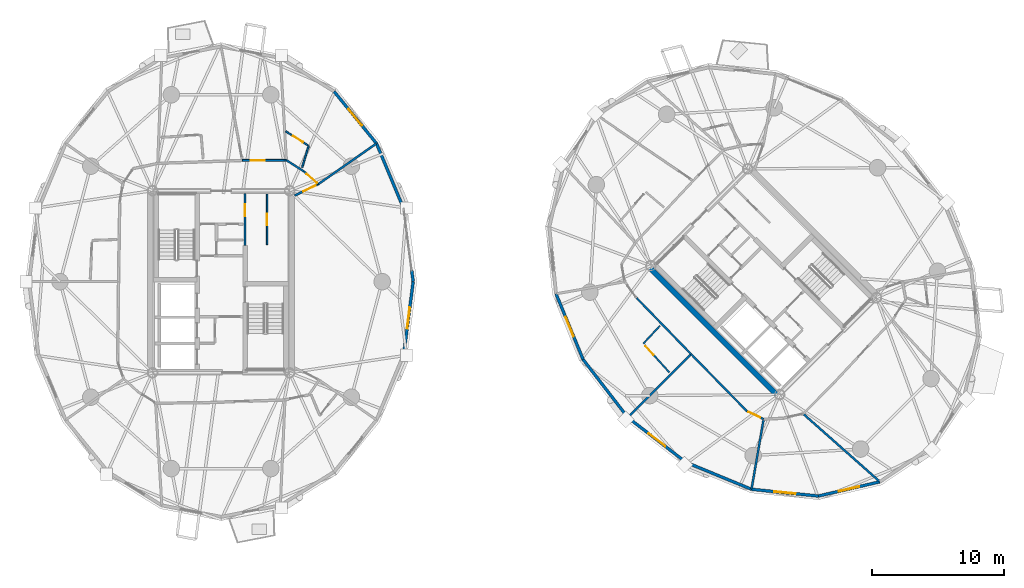
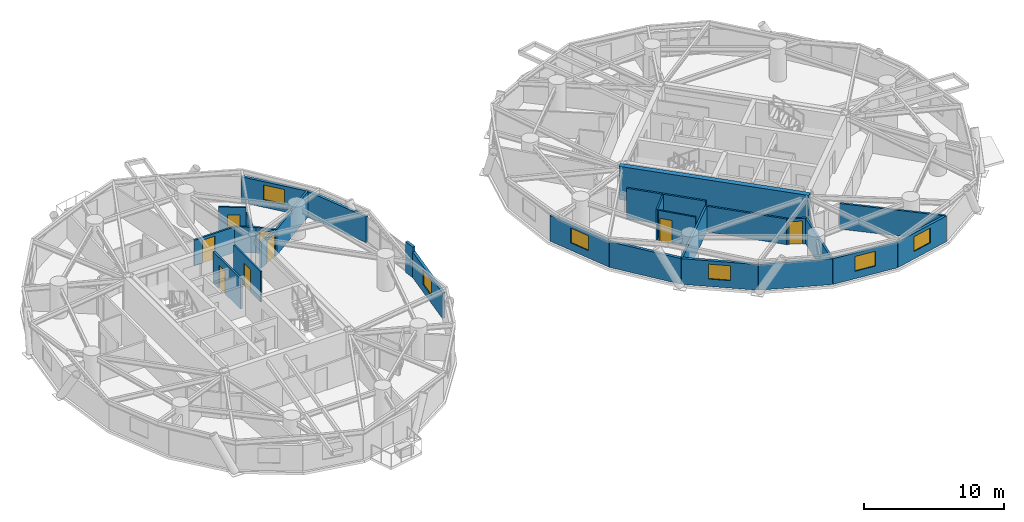
# One storey, part 12 of 19: 28 walls, 8 doors, 6 windows, 14 openings.
"""IFC4 building model written with IfcOpenShell, lengths in metres."""

from ifc_helpers import new_model, si_unit, direction, frame, frame_2d, origin, place, context, subcontext, project, spatial, rectangle, extrude, source, transform, mapped, material, layer, layer_set, type_object, element, fill, save


model = new_model("IFC4")

# Units and contexts
model_context = context("Model", 3, precision=1e-05, world=origin(), true_north=direction((0.0, 1.0)))
body_context = subcontext(model_context, "Body", "Model", "MODEL_VIEW")
ifc_project = project(units=[si_unit("LENGTHUNIT", "METRE"), si_unit("AREAUNIT", "SQUARE_METRE"), si_unit("VOLUMEUNIT", "CUBIC_METRE"), si_unit("PLANEANGLEUNIT", "RADIAN"), si_unit("MASSUNIT", "GRAM", prefix="KILO")], contexts=[model_context])

# Site, building, storey
site_placement = place(None, origin())
site = spatial("IfcSite", under=ifc_project, at=site_placement, CompositionType="ELEMENT")
building_placement = place(site_placement, origin())
building = spatial("IfcBuilding", under=site, at=building_placement, Name="Cununo Teusaquillo Station Towers", CompositionType="ELEMENT")
storey_placement = place(building_placement, frame((0.0, 0.0, 151.60009765625)))
storey = spatial("IfcBuildingStorey", under=building, at=storey_placement, Name="L47", CompositionType="ELEMENT", Elevation=151.60009765625)

# Walls
ifc_material_1 = material(Name="Concrete C50/60", Category="concrete")
ifc_layer_1 = layer(ifc_material_1, 0.39990234375)
ifc_layer_set_1 = layer_set([ifc_layer_1], Name="Concrete C50/60")
wall_type_1 = type_object("IfcWallType", Name="WL-CORE-400", PredefinedType="SHEAR", material=ifc_layer_set_1)
wall_1_placement = place(storey_placement, frame((58.7021484375, 15.73193359375, 0.0), z_axis=(0.0, 0.0, 1.0), x_axis=(-0.707106781187, 0.707106781187, 0.0)))
element("IfcWall", 1, at=wall_1_placement, inside=storey, type_object=wall_type_1, Name="L47 Tower B Core Shear Wall W", PredefinedType="SHEAR", context=body_context, shape_type="SweptSolid", body=[
    extrude(rectangle(XDim=14.10009765625, YDim=0.39990234375, at=frame_2d((7.050048828125, 0.0))), origin(), (0.0, 0.0, 1.0), 2.909912109375),
])
ifc_material_2 = material(Name="Precast concrete C40/50", Category="concrete")
ifc_layer_2 = layer(ifc_material_2, 0.219970703125)
ifc_layer_set_2 = layer_set([ifc_layer_2], Name="Precast concrete C40/50")
wall_type_2 = type_object("IfcWallType", Name="WL-EXT-220", PredefinedType="SOLIDWALL", material=ifc_layer_set_2)
wall_2_placement = place(storey_placement, frame((30.9033203125, 25.36279296875, 0.0), z_axis=(0.0, 0.0, 1.0), x_axis=(0.128247365719, -0.991742211054, 0.0)))
element("IfcWall", 2, at=wall_2_placement, inside=storey, type_object=wall_type_2, Name="L47 Tower A Column Pier Cladding Wall C00-PB", PredefinedType="SOLIDWALL", context=body_context, shape_type="SweptSolid", body=[
    extrude(rectangle(XDim=0.869873046875, YDim=0.219970703125, at=frame_2d((0.43505859375, 0.0))), origin(), (0.0, 0.0, 1.0), 2.6748046875),
])
wall_3_placement = place(storey_placement, frame((28.242919921875, 34.94482421875, 0.0), z_axis=(0.0, 0.0, 1.0), x_axis=(0.384259959969, -0.923224936386, 0.0)))
element("IfcWall", 3, at=wall_3_placement, inside=storey, type_object=wall_type_2, Name="L47 Tower A Exterior Facade Wall C01", PredefinedType="SOLIDWALL", context=body_context, shape_type="SweptSolid", body=[
    extrude(rectangle(XDim=5.365478515625, YDim=0.219970703125, at=frame_2d((2.6826171875, 0.0))), origin(), (0.0, 0.0, 1.0), 2.244873046875),
])

# Wall, opening, window
wall_4_placement = place(storey_placement, frame((25.03173828125, 38.876220703125, 0.0), z_axis=(0.0, 0.0, 1.0), x_axis=(0.632598524901, -0.774479894053, 0.0)))
wall_4 = element("IfcWall", 4, at=wall_4_placement, inside=storey, type_object=wall_type_2, Name="L47 Tower A Exterior Facade Wall C02", PredefinedType="SOLIDWALL", context=body_context, shape_type="SweptSolid", body=[
    extrude(rectangle(XDim=5.076171875, YDim=0.219970703125, at=frame_2d((2.5380859375, 0.0))), origin(), (0.0, 0.0, 1.0), 2.244873046875),
])
shared_shape_1 = source(origin(), body_context, "Body", "SweptSolid", [
    extrude(rectangle(XDim=1.60009765625, YDim=1.300048828125, at=frame_2d((0.800048828125, 0.64990234375))), frame((0.0, 0.119873046875, 0.0), z_axis=(0.0, -1.0, 0.0), x_axis=(1.0, 0.0, 0.0)), (0.0, 0.0, 1.0), 0.239990234375),
])
opening_1_placement = place(wall_4_placement, frame((1.738037109375, 0.0, 0.64990234375)))
opening_1 = element("IfcOpeningElement", 5, at=opening_1_placement, cuts=wall_4, Name="Opening WN-03", PredefinedType="OPENING", context=body_context, shape_type="MappedRepresentation", body=[
    mapped(shared_shape_1, transform((0.0, 0.0, 0.0), x_axis=(1.0, 0.0, 0.0), y_axis=(0.0, 1.0, 0.0), z_axis=(0.0, 0.0, 1.0), scale=1.0)),
])
ifc_material_3 = material(Name="Ceramic-fritted dark low-E double glazing", Category="glass")
window_type = type_object("IfcWindowType", Name="WIN-CORN-1600", PartitioningType="SINGLE_PANEL", PredefinedType="WINDOW", material=ifc_material_3)
shared_shape_2 = source(origin(), body_context, "Body", "SweptSolid", [
    extrude(rectangle(XDim=1.60009765625, YDim=1.300048828125, at=frame_2d((0.800048828125, 0.64990234375))), frame((0.0, 0.030029296875, 0.0), z_axis=(0.0, -1.0, 0.0), x_axis=(1.0, 0.0, 0.0)), (0.0, 0.0, 1.0), 0.06005859375),
])
window_1_placement = place(opening_1_placement, origin())
window_1 = element("IfcWindow", 6, at=window_1_placement, inside=storey, type_object=window_type, Name="L47 Tower A Facade Window C02", OverallHeight=1.300048828125, OverallWidth=1.60009765625, PartitioningType="SINGLE_PANEL", PredefinedType="WINDOW", context=body_context, shape_type="MappedRepresentation", body=[
    mapped(shared_shape_2, transform((0.0, 0.0, 0.0), x_axis=(1.0, 0.0, 0.0), y_axis=(0.0, 1.0, 0.0), z_axis=(0.0, 0.0, 1.0), scale=1.0)),
])
fill(opening_1, window_1)

wall_5_placement = place(storey_placement, frame((31.014892578125, 24.5, 0.0), z_axis=(0.0, 0.0, 1.0), x_axis=(-0.128266533912, -0.991739732126, 0.0)))
wall_5 = element("IfcWall", 7, at=wall_5_placement, inside=storey, type_object=wall_type_2, Name="L47 Tower A Exterior Facade Wall C19", PredefinedType="SOLIDWALL", context=body_context, shape_type="SweptSolid", body=[
    extrude(rectangle(XDim=5.536865234375, YDim=0.219970703125, at=frame_2d((2.7685546875, 0.0))), origin(), (0.0, 0.0, 1.0), 2.244873046875),
])
opening_2_placement = place(wall_5_placement, frame((1.968017578125, 0.0, 0.64990234375)))
opening_2 = element("IfcOpeningElement", 8, at=opening_2_placement, cuts=wall_5, Name="Opening WN-03", PredefinedType="OPENING", context=body_context, shape_type="MappedRepresentation", body=[
    mapped(shared_shape_1, transform((0.0, 0.0, 0.0), x_axis=(1.0, 0.0, 0.0), y_axis=(0.0, 1.0, 0.0), z_axis=(0.0, 0.0, 1.0), scale=1.0)),
])
window_2_placement = place(opening_2_placement, origin())
window_2 = element("IfcWindow", 9, at=window_2_placement, inside=storey, type_object=window_type, Name="L47 Tower A Facade Window C19", OverallHeight=1.300048828125, OverallWidth=1.60009765625, PartitioningType="SINGLE_PANEL", PredefinedType="WINDOW", context=body_context, shape_type="MappedRepresentation", body=[
    mapped(shared_shape_2, transform((0.0, 0.0, 0.0), x_axis=(1.0, 0.0, 0.0), y_axis=(0.0, 1.0, 0.0), z_axis=(0.0, 0.0, 1.0), scale=1.0)),
])
fill(opening_2, window_2)

wall_6_placement = place(storey_placement, frame((43.855712890625, 18.62158203125, 0.0), z_axis=(0.0, 0.0, 1.0), x_axis=(-0.38111364655, 0.924528197738, 0.0)))
wall_6 = element("IfcWall", 10, at=wall_6_placement, inside=storey, type_object=wall_type_2, Name="L47 Tower B Exterior Facade Wall C08", PredefinedType="SOLIDWALL", context=body_context, shape_type="SweptSolid", body=[
    extrude(rectangle(XDim=5.36572265625, YDim=0.219970703125, at=frame_2d((2.682861328125, 0.0))), origin(), (0.0, 0.0, 1.0), 2.244873046875),
])
opening_3_placement = place(wall_6_placement, frame((1.883056640625, 0.0, 0.64990234375)))
opening_3 = element("IfcOpeningElement", 11, at=opening_3_placement, cuts=wall_6, Name="Opening WN-03", PredefinedType="OPENING", context=body_context, shape_type="MappedRepresentation", body=[
    mapped(shared_shape_1, transform((0.0, 0.0, 0.0), x_axis=(1.0, 0.0, 0.0), y_axis=(0.0, 1.0, 0.0), z_axis=(0.0, 0.0, 1.0), scale=1.0)),
])
window_3_placement = place(opening_3_placement, origin())
window_3 = element("IfcWindow", 12, at=window_3_placement, inside=storey, type_object=window_type, Name="L47 Tower B Facade Window C08", OverallHeight=1.300048828125, OverallWidth=1.60009765625, PartitioningType="SINGLE_PANEL", PredefinedType="WINDOW", context=body_context, shape_type="MappedRepresentation", body=[
    mapped(shared_shape_2, transform((0.0, 0.0, 0.0), x_axis=(1.0, 0.0, 0.0), y_axis=(0.0, 1.0, 0.0), z_axis=(0.0, 0.0, 1.0), scale=1.0)),
])
fill(opening_3, window_3)

# Wall
wall_7_placement = place(storey_placement, frame((47.236328125, 14.236328125, 0.0), z_axis=(0.0, 0.0, 1.0), x_axis=(-0.610543584779, 0.791982658323, 0.0)))
element("IfcWall", 13, at=wall_7_placement, inside=storey, type_object=wall_type_2, Name="L47 Tower B Exterior Facade Wall C09", PredefinedType="SOLIDWALL", context=body_context, shape_type="SweptSolid", body=[
    extrude(rectangle(XDim=5.537109375, YDim=0.219970703125, at=frame_2d((2.7685546875, 0.0))), origin(), (0.0, 0.0, 1.0), 2.244873046875),
])

# Wall, opening, window
wall_8_placement = place(storey_placement, frame((51.62158203125, 10.855712890625, 0.0), z_axis=(0.0, 0.0, 1.0), x_axis=(-0.791982658323, 0.610543584779, 0.0)))
wall_8 = element("IfcWall", 14, at=wall_8_placement, inside=storey, type_object=wall_type_2, Name="L47 Tower B Exterior Facade Wall C10", PredefinedType="SOLIDWALL", context=body_context, shape_type="SweptSolid", body=[
    extrude(rectangle(XDim=5.537109375, YDim=0.219970703125, at=frame_2d((2.7685546875, 0.0))), origin(), (0.0, 0.0, 1.0), 2.244873046875),
])
opening_4_placement = place(wall_8_placement, frame((1.968017578125, 0.0, 0.64990234375)))
opening_4 = element("IfcOpeningElement", 15, at=opening_4_placement, cuts=wall_8, Name="Opening WN-03", PredefinedType="OPENING", context=body_context, shape_type="MappedRepresentation", body=[
    mapped(shared_shape_1, transform((0.0, 0.0, 0.0), x_axis=(1.0, 0.0, 0.0), y_axis=(0.0, 1.0, 0.0), z_axis=(0.0, 0.0, 1.0), scale=1.0)),
])
window_4_placement = place(opening_4_placement, origin())
window_4 = element("IfcWindow", 16, at=window_4_placement, inside=storey, type_object=window_type, Name="L47 Tower B Facade Window C10", OverallHeight=1.300048828125, OverallWidth=1.60009765625, PartitioningType="SINGLE_PANEL", PredefinedType="WINDOW", context=body_context, shape_type="MappedRepresentation", body=[
    mapped(shared_shape_2, transform((0.0, 0.0, 0.0), x_axis=(1.0, 0.0, 0.0), y_axis=(0.0, 1.0, 0.0), z_axis=(0.0, 0.0, 1.0), scale=1.0)),
])
fill(opening_4, window_4)

# Wall
wall_9_placement = place(storey_placement, frame((56.582275390625, 8.810791015625, 0.0), z_axis=(0.0, 0.0, 1.0), x_axis=(-0.924528197738, 0.38111364655, 0.0)))
element("IfcWall", 17, at=wall_9_placement, inside=storey, type_object=wall_type_2, Name="L47 Tower B Exterior Facade Wall C11", PredefinedType="SOLIDWALL", context=body_context, shape_type="SweptSolid", body=[
    extrude(rectangle(XDim=5.36572265625, YDim=0.219970703125, at=frame_2d((2.682861328125, 0.0))), origin(), (0.0, 0.0, 1.0), 2.244873046875),
])

# Wall, opening, window
wall_10_placement = place(storey_placement, frame((61.6328125, 8.3017578125, 0.0), z_axis=(0.0, 0.0, 1.0), x_axis=(-0.994959267396, 0.100279889424, 0.0)))
wall_10 = element("IfcWall", 18, at=wall_10_placement, inside=storey, type_object=wall_type_2, Name="L47 Tower B Exterior Facade Wall C12", PredefinedType="SOLIDWALL", context=body_context, shape_type="SweptSolid", body=[
    extrude(rectangle(XDim=5.076171875, YDim=0.219970703125, at=frame_2d((2.5380859375, 0.0))), origin(), (0.0, 0.0, 1.0), 2.244873046875),
])
opening_5_placement = place(wall_10_placement, frame((1.738037109375, 0.0, 0.64990234375)))
opening_5 = element("IfcOpeningElement", 19, at=opening_5_placement, cuts=wall_10, Name="Opening WN-03", PredefinedType="OPENING", context=body_context, shape_type="MappedRepresentation", body=[
    mapped(shared_shape_1, transform((0.0, 0.0, 0.0), x_axis=(1.0, 0.0, 0.0), y_axis=(0.0, 1.0, 0.0), z_axis=(0.0, 0.0, 1.0), scale=1.0)),
])
window_5_placement = place(opening_5_placement, origin())
window_5 = element("IfcWindow", 20, at=window_5_placement, inside=storey, type_object=window_type, Name="L47 Tower B Facade Window C12", OverallHeight=1.300048828125, OverallWidth=1.60009765625, PartitioningType="SINGLE_PANEL", PredefinedType="WINDOW", context=body_context, shape_type="MappedRepresentation", body=[
    mapped(shared_shape_2, transform((0.0, 0.0, 0.0), x_axis=(1.0, 0.0, 0.0), y_axis=(0.0, 1.0, 0.0), z_axis=(0.0, 0.0, 1.0), scale=1.0)),
])
fill(opening_5, window_5)

wall_11_placement = place(storey_placement, frame((66.27880859375, 9.3779296875, 0.0), z_axis=(0.0, 0.0, 1.0), x_axis=(-0.974206226622, -0.225659540039, 0.0)))
wall_11 = element("IfcWall", 21, at=wall_11_placement, inside=storey, type_object=wall_type_2, Name="L47 Tower B Exterior Facade Wall C13", PredefinedType="SOLIDWALL", context=body_context, shape_type="SweptSolid", body=[
    extrude(rectangle(XDim=4.76904296875, YDim=0.219970703125, at=frame_2d((2.384521484375, 0.0))), origin(), (0.0, 0.0, 1.0), 2.244873046875),
])
opening_6_placement = place(wall_11_placement, frame((1.5849609375, 0.0, 0.64990234375)))
opening_6 = element("IfcOpeningElement", 22, at=opening_6_placement, cuts=wall_11, Name="Opening WN-03", PredefinedType="OPENING", context=body_context, shape_type="MappedRepresentation", body=[
    mapped(shared_shape_1, transform((0.0, 0.0, 0.0), x_axis=(1.0, 0.0, 0.0), y_axis=(0.0, 1.0, 0.0), z_axis=(0.0, 0.0, 1.0), scale=1.0)),
])
window_6_placement = place(opening_6_placement, origin())
window_6 = element("IfcWindow", 23, at=window_6_placement, inside=storey, type_object=window_type, Name="L47 Tower B Facade Window C13", OverallHeight=1.300048828125, OverallWidth=1.60009765625, PartitioningType="SINGLE_PANEL", PredefinedType="WINDOW", context=body_context, shape_type="MappedRepresentation", body=[
    mapped(shared_shape_2, transform((0.0, 0.0, 0.0), x_axis=(1.0, 0.0, 0.0), y_axis=(0.0, 1.0, 0.0), z_axis=(0.0, 0.0, 1.0), scale=1.0)),
])
fill(opening_6, window_6)

# Wall, opening, door
ifc_material_4 = material(Name="Fire-rated gypsum plasterboard partition assembly", Category="gypsum")
ifc_layer_3 = layer(ifc_material_4, 0.125)
ifc_layer_set_3 = layer_set([ifc_layer_3], Name="Fire-rated gypsum plasterboard partition assembly")
wall_type_3 = type_object("IfcWallType", Name="WL-PART-125", PredefinedType="PARTITIONING", material=ifc_layer_set_3)
wall_12_placement = place(storey_placement, frame((19.97998046875, 27.300048828125, 0.0), z_axis=(0.0, 0.0, 1.0), x_axis=(0.0, 1.0, 0.0)))
wall_12 = element("IfcWall", 24, at=wall_12_placement, inside=storey, type_object=wall_type_3, Name="L47 Tower A Reclaimed Bay Vertical Split Wall", PredefinedType="PARTITIONING", context=body_context, shape_type="SweptSolid", body=[
    extrude(rectangle(XDim=3.820068359375, YDim=0.125, at=frame_2d((1.91015625, 0.0))), origin(), (0.0, 0.0, 1.0), 2.6748046875),
])
shared_shape_3 = source(origin(), body_context, "Body", "SweptSolid", [
    extrude(rectangle(XDim=0.89990234375, YDim=2.0048828125, at=frame_2d((0.449951171875, 1.00244140625))), frame((0.0, 0.072509765625, 0.0), z_axis=(0.0, -1.0, 0.0), x_axis=(1.0, 0.0, 0.0)), (0.0, 0.0, 1.0), 0.14501953125),
])
opening_7_placement = place(wall_12_placement, frame((1.449951171875, 0.0, 0.0)))
opening_7 = element("IfcOpeningElement", 25, at=opening_7_placement, cuts=wall_12, Name="Opening D-IN1", PredefinedType="OPENING", context=body_context, shape_type="MappedRepresentation", body=[
    mapped(shared_shape_3, transform((0.0, 0.0, 0.0), x_axis=(1.0, 0.0, 0.0), y_axis=(0.0, 1.0, 0.0), z_axis=(0.0, 0.0, 1.0), scale=1.0)),
])
ifc_material_5 = material(Name="Acoustic solid-core hardwood leaf assembly", Category="wood")
door_type_1 = type_object("IfcDoorType", Name="DR-INT-900", OperationType="NOTDEFINED", PredefinedType="DOOR", material=ifc_material_5)
shared_shape_4 = source(origin(), body_context, "Body", "SweptSolid", [
    extrude(rectangle(XDim=0.89990234375, YDim=2.0048828125, at=frame_2d((0.449951171875, 1.00244140625))), frame((0.0, 0.02490234375, 0.0), z_axis=(0.0, -1.0, 0.0), x_axis=(1.0, 0.0, 0.0)), (0.0, 0.0, 1.0), 0.050048828125),
])
door_1_placement = place(opening_7_placement, origin())
door_1 = element("IfcDoor", 26, at=door_1_placement, inside=storey, type_object=door_type_1, Name="L47 Tower A Reclaimed Acoustic Booth Door", OperationType="SINGLE_SWING_RIGHT", OverallHeight=2.0048828125, OverallWidth=0.89990234375, PredefinedType="DOOR", context=body_context, shape_type="MappedRepresentation", body=[
    mapped(shared_shape_4, transform((0.0, 0.0, 0.0), x_axis=(1.0, 0.0, 0.0), y_axis=(0.0, 1.0, 0.0), z_axis=(0.0, 0.0, 1.0), scale=1.0)),
])
fill(opening_7, door_1)

# Wall
wall_13_placement = place(storey_placement, frame((22.6279296875, 33.141845703125, 0.0), z_axis=(0.0, 0.0, 1.0), x_axis=(0.28808673097, 0.957604320917, 0.0)))
element("IfcWall", 27, at=wall_13_placement, inside=storey, type_object=wall_type_3, Name="L47 Tower A S01 En-suite Side Wall", PredefinedType="PARTITIONING", context=body_context, shape_type="SweptSolid", body=[
    extrude(rectangle(XDim=1.697509765625, YDim=0.125, at=frame_2d((0.8486328125, 0.0))), origin(), (0.0, 0.0, 1.0), 2.244873046875),
])

# Wall, opening, door
wall_14_placement = place(storey_placement, frame((23.064208984375, 34.800537109375, 0.0), z_axis=(0.0, 0.0, 1.0), x_axis=(-0.846418905871, 0.532517638942, 0.0)))
wall_14 = element("IfcWall", 28, at=wall_14_placement, inside=storey, type_object=wall_type_3, Name="L47 Tower A S01 En-suite Back Wall", PredefinedType="PARTITIONING", context=body_context, shape_type="SweptSolid", body=[
    extrude(rectangle(XDim=1.993408203125, YDim=0.125, at=frame_2d((0.99658203125, 0.0))), origin(), (0.0, 0.0, 1.0), 2.6748046875),
])
opening_8_placement = place(wall_14_placement, frame((0.43994140625, 0.0, 0.0)))
opening_8 = element("IfcOpeningElement", 29, at=opening_8_placement, cuts=wall_14, Name="Opening D-IN1", PredefinedType="OPENING", context=body_context, shape_type="MappedRepresentation", body=[
    mapped(shared_shape_3, transform((0.0, 0.0, 0.0), x_axis=(1.0, 0.0, 0.0), y_axis=(0.0, 1.0, 0.0), z_axis=(0.0, 0.0, 1.0), scale=1.0)),
])
door_2_placement = place(opening_8_placement, origin())
door_2 = element("IfcDoor", 30, at=door_2_placement, inside=storey, type_object=door_type_1, Name="L47 Tower A S01 En-suite Bathroom Door", OperationType="SINGLE_SWING_RIGHT", OverallHeight=2.0048828125, OverallWidth=0.89990234375, PredefinedType="DOOR", context=body_context, shape_type="MappedRepresentation", body=[
    mapped(shared_shape_4, transform((0.0, 0.0, 0.0), x_axis=(1.0, 0.0, 0.0), y_axis=(0.0, 1.0, 0.0), z_axis=(0.0, 0.0, 1.0), scale=1.0)),
])
fill(opening_8, door_2)

# Wall
wall_15_placement = place(storey_placement, frame((49.664794921875, 21.17138671875, 0.0), z_axis=(0.0, 0.0, 1.0), x_axis=(-0.681089123144, -0.73220052331, 0.0)))
element("IfcWall", 31, at=wall_15_placement, inside=storey, type_object=wall_type_3, Name="L47 Tower B S04 En-suite Side Wall", PredefinedType="PARTITIONING", context=body_context, shape_type="SweptSolid", body=[
    extrude(rectangle(XDim=1.8486328125, YDim=0.125, at=frame_2d((0.92431640625, 0.0))), origin(), (0.0, 0.0, 1.0), 2.6748046875),
])

# Wall, opening, door
wall_16_placement = place(storey_placement, frame((48.502685546875, 19.710693359375, 0.0), z_axis=(0.0, 0.0, 1.0), x_axis=(0.671201050003, -0.741275354018, 0.0)))
wall_16 = element("IfcWall", 32, at=wall_16_placement, inside=storey, type_object=wall_type_3, Name="L47 Tower B S04 En-suite Back Wall", PredefinedType="PARTITIONING", context=body_context, shape_type="SweptSolid", body=[
    extrude(rectangle(XDim=2.77685546875, YDim=0.125, at=frame_2d((1.388427734375, 0.0))), origin(), (0.0, 0.0, 1.0), 2.6748046875),
])
opening_9_placement = place(wall_16_placement, frame((0.1201171875, 0.0, 0.0)))
opening_9 = element("IfcOpeningElement", 33, at=opening_9_placement, cuts=wall_16, Name="Opening D-IN1", PredefinedType="OPENING", context=body_context, shape_type="MappedRepresentation", body=[
    mapped(shared_shape_3, transform((0.0, 0.0, 0.0), x_axis=(1.0, 0.0, 0.0), y_axis=(0.0, 1.0, 0.0), z_axis=(0.0, 0.0, 1.0), scale=1.0)),
])
door_3_placement = place(opening_9_placement, origin())
door_3 = element("IfcDoor", 34, at=door_3_placement, inside=storey, type_object=door_type_1, Name="L47 Tower B S04 En-suite Bathroom Door", OperationType="SINGLE_SWING_RIGHT", OverallHeight=2.0048828125, OverallWidth=0.89990234375, PredefinedType="DOOR", context=body_context, shape_type="MappedRepresentation", body=[
    mapped(shared_shape_4, transform((0.0, 0.0, 0.0), x_axis=(1.0, 0.0, 0.0), y_axis=(0.0, 1.0, 0.0), z_axis=(0.0, 0.0, 1.0), scale=1.0)),
])
fill(opening_9, door_3)

ifc_material_6 = material(Name="Fire-rated gypsum plasterboard partition assembly", Category="gypsum")
ifc_layer_4 = layer(ifc_material_6, 0.14990234375)
ifc_layer_set_4 = layer_set([ifc_layer_4], Name="Fire-rated gypsum plasterboard partition assembly")
wall_type_4 = type_object("IfcWallType", Name="WL-PART-150", PredefinedType="PARTITIONING", material=ifc_layer_set_4)
wall_17_placement = place(storey_placement, frame((23.840576171875, 31.865966796875, 0.0), z_axis=(0.0, 0.0, 1.0), x_axis=(-0.74511843306, 0.666932171, 0.0)))
wall_17 = element("IfcWall", 35, at=wall_17_placement, inside=storey, type_object=wall_type_4, Name="L47 Tower A Corridor Ring Wall C02", PredefinedType="PARTITIONING", context=body_context, shape_type="SweptSolid", body=[
    extrude(rectangle(XDim=1.455078125, YDim=0.14990234375, at=frame_2d((0.7275390625, 0.0))), origin(), (0.0, 0.0, 1.0), 2.244873046875),
])
shared_shape_5 = source(origin(), body_context, "Body", "SweptSolid", [
    extrude(rectangle(XDim=1.050048828125, YDim=2.014892578125, at=frame_2d((0.52490234375, 1.00732421875))), frame((0.0, 0.0849609375, 0.0), z_axis=(0.0, -1.0, 0.0), x_axis=(1.0, 0.0, 0.0)), (0.0, 0.0, 1.0), 0.169921875),
])
opening_10_placement = place(wall_17_placement, frame((0.1201171875, 0.0, 0.0)))
opening_10 = element("IfcOpeningElement", 36, at=opening_10_placement, cuts=wall_17, Name="Opening D-SU1", PredefinedType="OPENING", context=body_context, shape_type="MappedRepresentation", body=[
    mapped(shared_shape_5, transform((0.0, 0.0, 0.0), x_axis=(1.0, 0.0, 0.0), y_axis=(0.0, 1.0, 0.0), z_axis=(0.0, 0.0, 1.0), scale=1.0)),
])
ifc_material_7 = material(Name="Acoustic solid-core hardwood leaf assembly", Category="wood")
door_type_2 = type_object("IfcDoorType", Name="DR-SUITE-1050", OperationType="NOTDEFINED", PredefinedType="DOOR", material=ifc_material_7)
shared_shape_6 = source(origin(), body_context, "Body", "SweptSolid", [
    extrude(rectangle(XDim=1.050048828125, YDim=2.014892578125, at=frame_2d((0.52490234375, 1.00732421875))), frame((0.0, 0.02490234375, 0.0), z_axis=(0.0, -1.0, 0.0), x_axis=(1.0, 0.0, 0.0)), (0.0, 0.0, 1.0), 0.050048828125),
])
door_4_placement = place(opening_10_placement, origin())
door_4 = element("IfcDoor", 37, at=door_4_placement, inside=storey, type_object=door_type_2, Name="L47 Tower A Grand Panorama Hotel Suite Entrance Door", OperationType="SINGLE_SWING_LEFT", OverallHeight=2.014892578125, OverallWidth=1.050048828125, PredefinedType="DOOR", context=body_context, shape_type="MappedRepresentation", body=[
    mapped(shared_shape_6, transform((0.0, 0.0, 0.0), x_axis=(1.0, 0.0, 0.0), y_axis=(0.0, 1.0, 0.0), z_axis=(0.0, 0.0, 1.0), scale=1.0)),
])
fill(opening_10, door_4)

# Wall
wall_18_placement = place(storey_placement, frame((22.75634765625, 32.83642578125, 0.0), z_axis=(0.0, 0.0, 1.0), x_axis=(-0.843828401801, 0.536613108593, 0.0)))
element("IfcWall", 38, at=wall_18_placement, inside=storey, type_object=wall_type_4, Name="L47 Tower A Corridor Ring Wall C03", PredefinedType="PARTITIONING", context=body_context, shape_type="SweptSolid", body=[
    extrude(rectangle(XDim=1.5654296875, YDim=0.14990234375, at=frame_2d((0.78271484375, 0.0))), origin(), (0.0, 0.0, 1.0), 2.244873046875),
])

# Wall, opening, door
wall_19_placement = place(storey_placement, frame((21.435302734375, 33.676513671875, 0.0), z_axis=(0.0, 0.0, 1.0), x_axis=(-0.999986775557, -0.005142831114, 0.0)))
wall_19 = element("IfcWall", 39, at=wall_19_placement, inside=storey, type_object=wall_type_4, Name="L47 Tower A Corridor Ring Wall C04", PredefinedType="PARTITIONING", context=body_context, shape_type="SweptSolid", body=[
    extrude(rectangle(XDim=3.322998046875, YDim=0.14990234375, at=frame_2d((1.66162109375, 0.0))), origin(), (0.0, 0.0, 1.0), 2.244873046875),
])
opening_11_placement = place(wall_19_placement, frame((1.644775390625, 0.0, 0.0)))
opening_11 = element("IfcOpeningElement", 40, at=opening_11_placement, cuts=wall_19, Name="Opening D-SU1", PredefinedType="OPENING", context=body_context, shape_type="MappedRepresentation", body=[
    mapped(shared_shape_5, transform((0.0, 0.0, 0.0), x_axis=(1.0, 0.0, 0.0), y_axis=(0.0, 1.0, 0.0), z_axis=(0.0, 0.0, 1.0), scale=1.0)),
])
door_5_placement = place(opening_11_placement, origin())
door_5 = element("IfcDoor", 41, at=door_5_placement, inside=storey, type_object=door_type_2, Name="L47 Tower A Cloud-Forest Hotel Suite Entrance Door", OperationType="SINGLE_SWING_LEFT", OverallHeight=2.014892578125, OverallWidth=1.050048828125, PredefinedType="DOOR", context=body_context, shape_type="MappedRepresentation", body=[
    mapped(shared_shape_6, transform((0.0, 0.0, 0.0), x_axis=(1.0, 0.0, 0.0), y_axis=(0.0, 1.0, 0.0), z_axis=(0.0, 0.0, 1.0), scale=1.0)),
])
fill(opening_11, door_5)

# Walls
wall_20_placement = place(storey_placement, frame((47.9013671875, 23.264892578125, 0.0), z_axis=(0.0, 0.0, 1.0), x_axis=(0.696355965374, -0.717696572019, 0.0)))
element("IfcWall", 42, at=wall_20_placement, inside=storey, type_object=wall_type_4, Name="L47 Tower B Corridor Ring Wall C09", PredefinedType="PARTITIONING", context=body_context, shape_type="SweptSolid", body=[
    extrude(rectangle(XDim=5.91455078125, YDim=0.14990234375, at=frame_2d((2.957275390625, 0.0))), origin(), (0.0, 0.0, 1.0), 2.6748046875),
])
wall_21_placement = place(storey_placement, frame((52.02001953125, 19.02001953125, 0.0), z_axis=(0.0, 0.0, 1.0), x_axis=(0.699456449804, -0.71467522332, 0.0)))
element("IfcWall", 43, at=wall_21_placement, inside=storey, type_object=wall_type_4, Name="L47 Tower B Corridor Ring Wall C10", PredefinedType="PARTITIONING", context=body_context, shape_type="SweptSolid", body=[
    extrude(rectangle(XDim=6.03173828125, YDim=0.14990234375, at=frame_2d((3.015869140625, 0.0))), origin(), (0.0, 0.0, 1.0), 2.244873046875),
])

# Wall, opening, door
wall_22_placement = place(storey_placement, frame((56.239013671875, 14.709228515625, 0.0), z_axis=(0.0, 0.0, 1.0), x_axis=(0.902374219125, -0.430953325383, 0.0)))
wall_22 = element("IfcWall", 44, at=wall_22_placement, inside=storey, type_object=wall_type_4, Name="L47 Tower B Corridor Ring Wall C11", PredefinedType="PARTITIONING", context=body_context, shape_type="SweptSolid", body=[
    extrude(rectangle(XDim=1.3935546875, YDim=0.14990234375, at=frame_2d((0.69677734375, 0.0))), origin(), (0.0, 0.0, 1.0), 2.244873046875),
])
shared_shape_7 = source(origin(), body_context, "Body", "SweptSolid", [
    extrude(rectangle(XDim=1.0, YDim=2.014892578125, at=frame_2d((0.5, 1.00732421875))), frame((0.0, 0.0849609375, 0.0), z_axis=(0.0, -1.0, 0.0), x_axis=(1.0, 0.0, 0.0)), (0.0, 0.0, 1.0), 0.169921875),
])
opening_12_placement = place(wall_22_placement, frame((0.1201171875, 0.0, 0.0)))
opening_12 = element("IfcOpeningElement", 45, at=opening_12_placement, cuts=wall_22, Name="Opening D-AC1", PredefinedType="OPENING", context=body_context, shape_type="MappedRepresentation", body=[
    mapped(shared_shape_7, transform((0.0, 0.0, 0.0), x_axis=(1.0, 0.0, 0.0), y_axis=(0.0, 1.0, 0.0), z_axis=(0.0, 0.0, 1.0), scale=1.0)),
])
ifc_material_8 = material(Name="Acoustic solid-core hardwood leaf assembly", Category="wood")
door_type_3 = type_object("IfcDoorType", Name="DR-ACC-1000", OperationType="NOTDEFINED", PredefinedType="DOOR", material=ifc_material_8)
shared_shape_8 = source(origin(), body_context, "Body", "SweptSolid", [
    extrude(rectangle(XDim=1.0, YDim=2.014892578125, at=frame_2d((0.5, 1.00732421875))), frame((0.0, 0.02490234375, 0.0), z_axis=(0.0, -1.0, 0.0), x_axis=(1.0, 0.0, 0.0)), (0.0, 0.0, 1.0), 0.050048828125),
])
door_6_placement = place(opening_12_placement, origin())
door_6 = element("IfcDoor", 46, at=door_6_placement, inside=storey, type_object=door_type_3, Name="L47 Tower B Public Accessible Restroom WC Entrance Door", OperationType="SINGLE_SWING_LEFT", OverallHeight=2.014892578125, OverallWidth=1.0, PredefinedType="DOOR", context=body_context, shape_type="MappedRepresentation", body=[
    mapped(shared_shape_8, transform((0.0, 0.0, 0.0), x_axis=(1.0, 0.0, 0.0), y_axis=(0.0, 1.0, 0.0), z_axis=(0.0, 0.0, 1.0), scale=1.0)),
])
fill(opening_12, door_6)

ifc_material_9 = material(Name="Fire-rated gypsum plasterboard partition assembly", Category="gypsum")
ifc_layer_5 = layer(ifc_material_9, 0.159912109375)
ifc_layer_set_5 = layer_set([ifc_layer_5], Name="Fire-rated gypsum plasterboard partition assembly")
wall_type_5 = type_object("IfcWallType", Name="WL-PART-160", PredefinedType="PARTITIONING", material=ifc_layer_set_5)
wall_23_placement = place(storey_placement, frame((18.31494140625, 27.25, 0.0), z_axis=(0.0, 0.0, 1.0), x_axis=(0.0, 1.0, 0.0)))
wall_23 = element("IfcWall", 47, at=wall_23_placement, inside=storey, type_object=wall_type_5, Name="L47 Tower A Reclaimed Core Bay Entry Wall", PredefinedType="PARTITIONING", context=body_context, shape_type="SweptSolid", body=[
    extrude(rectangle(XDim=3.89990234375, YDim=0.159912109375, at=frame_2d((1.949951171875, 0.0))), origin(), (0.0, 0.0, 1.0), 2.6748046875),
])
shared_shape_9 = source(origin(), body_context, "Body", "SweptSolid", [
    extrude(rectangle(XDim=0.89990234375, YDim=2.0048828125, at=frame_2d((0.449951171875, 1.00244140625))), frame((0.0, 0.08984375, 0.0), z_axis=(0.0, -1.0, 0.0), x_axis=(1.0, 0.0, 0.0)), (0.0, 0.0, 1.0), 0.179931640625),
])
opening_13_placement = place(wall_23_placement, frame((2.199951171875, 0.0, 0.0)))
opening_13 = element("IfcOpeningElement", 48, at=opening_13_placement, cuts=wall_23, Name="Opening D-IN1", PredefinedType="OPENING", context=body_context, shape_type="MappedRepresentation", body=[
    mapped(shared_shape_9, transform((0.0, 0.0, 0.0), x_axis=(1.0, 0.0, 0.0), y_axis=(0.0, 1.0, 0.0), z_axis=(0.0, 0.0, 1.0), scale=1.0)),
])
door_7_placement = place(opening_13_placement, origin())
door_7 = element("IfcDoor", 49, at=door_7_placement, inside=storey, type_object=door_type_1, Name="L47 Tower A Reclaimed Meeting Room Door", OperationType="SINGLE_SWING_LEFT", OverallHeight=2.0048828125, OverallWidth=0.89990234375, PredefinedType="DOOR", context=body_context, shape_type="MappedRepresentation", body=[
    mapped(shared_shape_4, transform((0.0, 0.0, 0.0), x_axis=(1.0, 0.0, 0.0), y_axis=(0.0, 1.0, 0.0), z_axis=(0.0, 0.0, 1.0), scale=1.0)),
])
fill(opening_13, door_7)

# Wall
wall_24_placement = place(storey_placement, frame((23.840576171875, 31.865966796875, 0.0), z_axis=(0.0, 0.0, 1.0), x_axis=(0.819514693563, 0.573058170724, 0.0)))
element("IfcWall", 50, at=wall_24_placement, inside=storey, type_object=wall_type_5, Name="L47 Tower A Radial Suite Partition R01", PredefinedType="PARTITIONING", context=body_context, shape_type="SweptSolid", body=[
    extrude(rectangle(XDim=5.352294921875, YDim=0.159912109375, at=frame_2d((2.67626953125, 0.0))), origin(), (0.0, 0.0, 1.0), 2.244873046875),
])

# Wall, opening, door
wall_25_placement = place(storey_placement, frame((22.050048828125, 31.0, 0.0), z_axis=(0.0, 0.0, 1.0), x_axis=(0.900241516545, 0.435390872537, 0.0)))
wall_25 = element("IfcWall", 51, at=wall_25_placement, inside=storey, type_object=wall_type_5, Name="L47 Tower A East Salon Corridor Portal Wall NE", PredefinedType="PARTITIONING", context=body_context, shape_type="SweptSolid", body=[
    extrude(rectangle(XDim=1.989013671875, YDim=0.159912109375, at=frame_2d((0.99462890625, 0.0))), origin(), (0.0, 0.0, 1.0), 2.244873046875),
])
shared_shape_10 = source(origin(), body_context, "Body", "SweptSolid", [
    extrude(rectangle(XDim=1.050048828125, YDim=2.014892578125, at=frame_2d((0.52490234375, 1.00732421875))), frame((0.0, 0.08984375, 0.0), z_axis=(0.0, -1.0, 0.0), x_axis=(1.0, 0.0, 0.0)), (0.0, 0.0, 1.0), 0.179931640625),
])
opening_14_placement = place(wall_25_placement, frame((0.739013671875, 0.0, 0.0)))
opening_14 = element("IfcOpeningElement", 52, at=opening_14_placement, cuts=wall_25, Name="Opening D-SU1", PredefinedType="OPENING", context=body_context, shape_type="MappedRepresentation", body=[
    mapped(shared_shape_10, transform((0.0, 0.0, 0.0), x_axis=(1.0, 0.0, 0.0), y_axis=(0.0, 1.0, 0.0), z_axis=(0.0, 0.0, 1.0), scale=1.0)),
])
door_8_placement = place(opening_14_placement, origin())
door_8 = element("IfcDoor", 53, at=door_8_placement, inside=storey, type_object=door_type_2, Name="L47 Tower A East Panorama Sky Salon Door NE", OperationType="SINGLE_SWING_LEFT", OverallHeight=2.014892578125, OverallWidth=1.050048828125, PredefinedType="DOOR", context=body_context, shape_type="MappedRepresentation", body=[
    mapped(shared_shape_6, transform((0.0, 0.0, 0.0), x_axis=(1.0, 0.0, 0.0), y_axis=(0.0, 1.0, 0.0), z_axis=(0.0, 0.0, 1.0), scale=1.0)),
])
fill(opening_14, door_8)

# Walls
wall_26_placement = place(storey_placement, frame((52.02001953125, 19.02001953125, 0.0), z_axis=(0.0, 0.0, 1.0), x_axis=(-0.707106781187, -0.707106781187, 0.0)))
element("IfcWall", 54, at=wall_26_placement, inside=storey, type_object=wall_type_5, Name="L47 Tower B Radial Suite Partition R05", PredefinedType="PARTITIONING", context=body_context, shape_type="SweptSolid", body=[
    extrude(rectangle(XDim=6.7451171875, YDim=0.159912109375, at=frame_2d((3.37255859375, 0.0))), origin(), (0.0, 0.0, 1.0), 2.244873046875),
])
wall_27_placement = place(storey_placement, frame((57.49658203125, 14.108642578125, 0.0), z_axis=(0.0, 0.0, 1.0), x_axis=(-0.170109923992, -0.985425092922, 0.0)))
element("IfcWall", 55, at=wall_27_placement, inside=storey, type_object=wall_type_5, Name="L47 Tower B Radial Suite Partition R06", PredefinedType="PARTITIONING", context=body_context, shape_type="SweptSolid", body=[
    extrude(rectangle(XDim=5.356201171875, YDim=0.159912109375, at=frame_2d((2.67822265625, 0.0))), origin(), (0.0, 0.0, 1.0), 2.244873046875),
])
wall_28_placement = place(storey_placement, frame((60.48828125, 14.513916015625, 0.0), z_axis=(0.0, 0.0, 1.0), x_axis=(0.748740614849, -0.662863101761, 0.0)))
element("IfcWall", 56, at=wall_28_placement, inside=storey, type_object=wall_type_5, Name="L47 Tower B Radial Suite Partition R07", PredefinedType="PARTITIONING", context=body_context, shape_type="SweptSolid", body=[
    extrude(rectangle(XDim=7.72119140625, YDim=0.159912109375, at=frame_2d((3.860595703125, 0.0))), origin(), (0.0, 0.0, 1.0), 2.244873046875),
])

save(model, "model.ifc")
